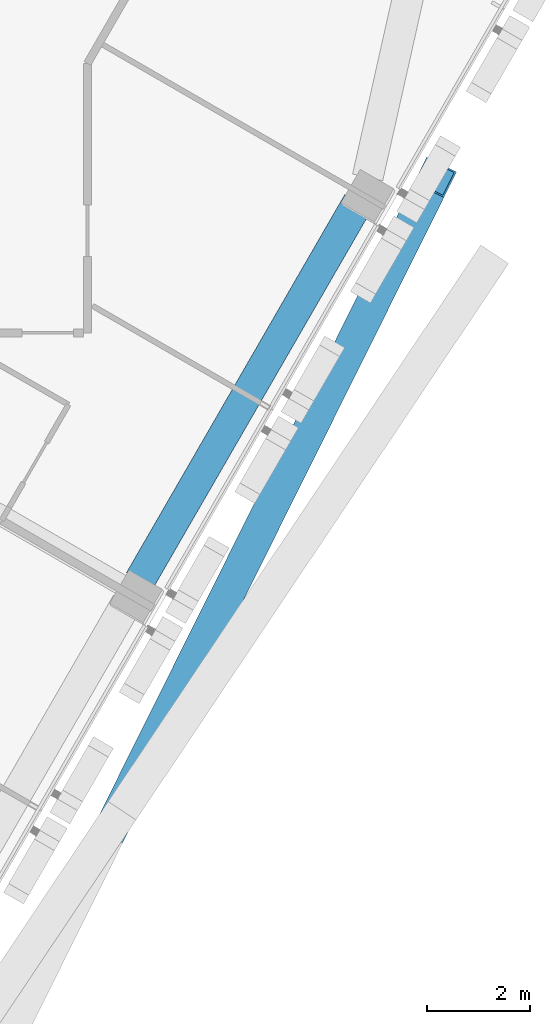
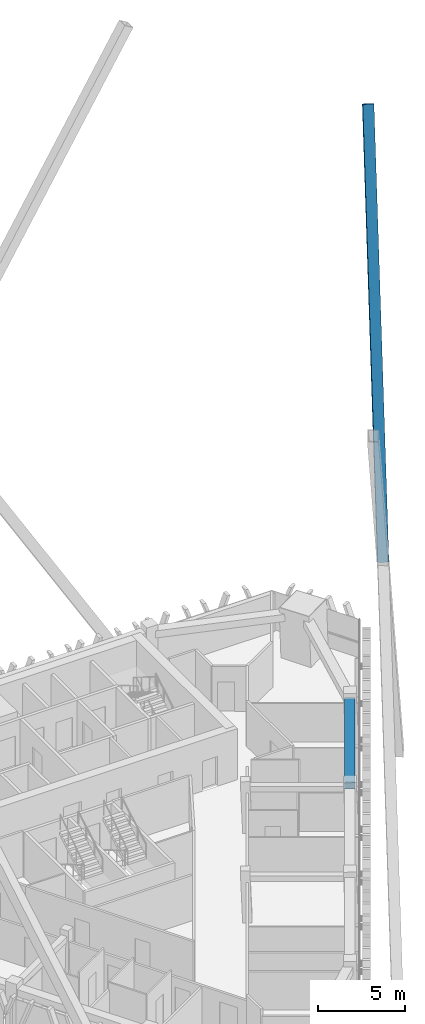
# One storey, part 10 of 22: 1 beam, 1 member.
"""IFC4 building model written with IfcOpenShell, lengths in metres."""

from ifc_helpers import new_model, si_unit, direction, frame, origin, origin_2d, place, context, subcontext, project, spatial, rectangle, hollow_rectangle, extrude, material, material_profile, profile_set, type_object, element, save


model = new_model("IFC4")

# Units and contexts
model_context = context("Model", 3, precision=1e-05, world=origin(), true_north=direction((0.0, 1.0)))
body_context = subcontext(model_context, "Body", "Model", "MODEL_VIEW")
ifc_project = project(units=[si_unit("LENGTHUNIT", "METRE"), si_unit("AREAUNIT", "SQUARE_METRE"), si_unit("VOLUMEUNIT", "CUBIC_METRE"), si_unit("PLANEANGLEUNIT", "RADIAN"), si_unit("MASSUNIT", "GRAM", prefix="KILO")], contexts=[model_context])

# Site, building, storey
site_placement = place(None, origin())
site = spatial("IfcSite", under=ifc_project, at=site_placement, CompositionType="ELEMENT")
building_placement = place(site_placement, origin())
building = spatial("IfcBuilding", under=site, at=building_placement, Name="Altiplano Prism Tower", CompositionType="ELEMENT")
storey_placement = place(building_placement, frame((0.0, 0.0, 219.39990234375)))
storey = spatial("IfcBuildingStorey", under=building, at=storey_placement, Name="L56", CompositionType="ELEMENT", Elevation=219.39990234375)

# Beam
ifc_material_1 = material(Name="Concrete C60/75", Category="concrete")
ifc_material_profile_1 = material_profile(ifc_material_1, rectangle(XDim=0.60009765625, YDim=0.5, at=origin_2d()), Name="Edge beam 600x500")
ifc_profile_set_1 = profile_set([ifc_material_profile_1], Name="Concrete C60/75")
beam_type = type_object("IfcBeamType", Name="Edge beam 600x500", PredefinedType="SPANDREL", material=ifc_profile_set_1)
beam_placement = place(storey_placement, frame((100.8193359375, 85.385986328125, 2.9501953125), z_axis=(0.49998963237, 0.866031389456, 0.0), x_axis=(-0.866031389456, 0.49998963237, 0.0)))
element("IfcBeam", 1, at=beam_placement, inside=storey, type_object=beam_type, Name="Edge beam P23-P24 L57", PredefinedType="SPANDREL", context=body_context, shape_type="SweptSolid", body=[
    extrude(rectangle(XDim=0.60009765625, YDim=0.5, at=origin_2d()), origin(), (0.0, 0.0, 1.0), 8.489990234375),
])

# Member
ifc_material_2 = material(Name="Steel S355", Category="steel")
ifc_material_profile_2 = material_profile(ifc_material_2, hollow_rectangle(XDim=0.64990234375, YDim=0.64990234375, WallThickness=0.034912109375, at=origin_2d()), Name="Mega brace Box 650x650x35")
ifc_profile_set_2 = profile_set([ifc_material_profile_2], Name="Steel S355")
member_type = type_object("IfcMemberType", Name="Mega brace Box 650x650x35", PredefinedType="BRACE", material=ifc_profile_set_2)
member_placement = place(storey_placement, frame((100.31689453125, 80.67041015625, 21.75), z_axis=(0.235723194745, 0.473610254755, 0.848603501083), x_axis=(-0.895243745661, 0.445576745191, 0.0)))
element("IfcMember", 2, at=member_placement, inside=storey, type_object=member_type, Name="Mega brace 6.2.2", PredefinedType="BRACE", context=body_context, shape_type="SweptSolid", body=[
    extrude(hollow_rectangle(XDim=0.64990234375, YDim=0.64990234375, WallThickness=0.034912109375, at=origin_2d()), origin(), (0.0, 0.0, 1.0), 26.51416015625),
])

save(model, "model.ifc")
